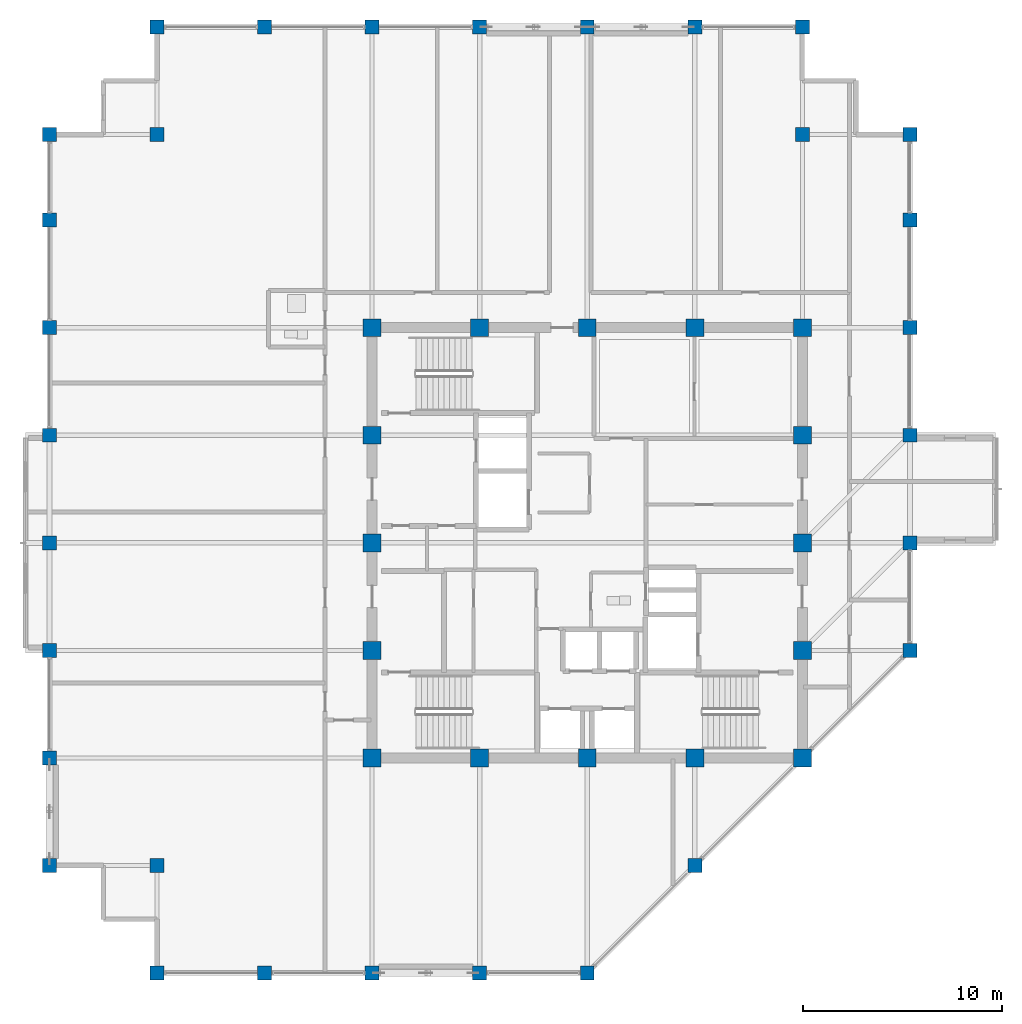
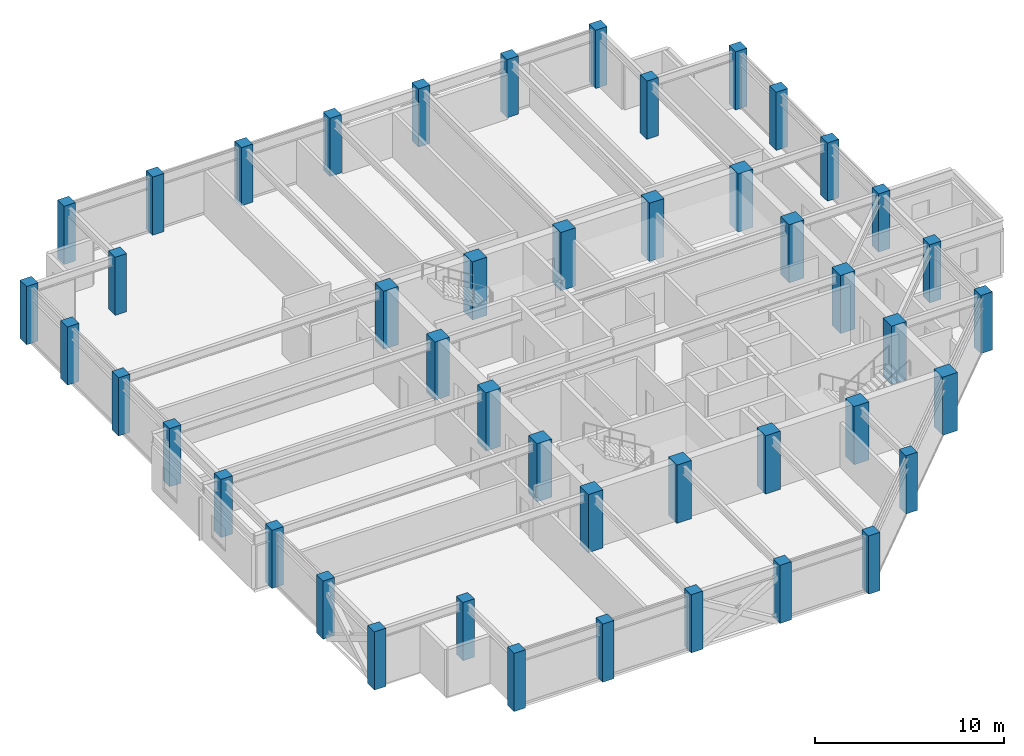
# One storey, part 1 of 30: 46 columns.
"""IFC4 building model written with IfcOpenShell, lengths in metres."""

from ifc_helpers import new_model, si_unit, direction, frame, origin, origin_2d, place, context, subcontext, project, spatial, rectangle, extrude, material, material_profile, profile_set, type_object, element, save


model = new_model("IFC4")

# Units and contexts
model_context = context("Model", 3, precision=1e-05, world=origin(), true_north=direction((0.0, 1.0)))
body_context = subcontext(model_context, "Body", "Model", "MODEL_VIEW")
ifc_project = project(units=[si_unit("LENGTHUNIT", "METRE"), si_unit("AREAUNIT", "SQUARE_METRE"), si_unit("VOLUMEUNIT", "CUBIC_METRE"), si_unit("PLANEANGLEUNIT", "RADIAN"), si_unit("MASSUNIT", "GRAM", prefix="KILO")], contexts=[model_context])

# Site, building, storey
site_placement = place(None, origin())
site = spatial("IfcSite", under=ifc_project, at=site_placement, CompositionType="ELEMENT")
building_placement = place(site_placement, origin())
building = spatial("IfcBuilding", under=site, at=building_placement, Name="Surkhivell Harbour Commons", CompositionType="ELEMENT")
storey_placement = place(building_placement, frame((0.0, 0.0, 303.75)))
storey = spatial("IfcBuildingStorey", under=building, at=storey_placement, Name="L79", CompositionType="ELEMENT", Elevation=303.75)

# Columns
ifc_material_1 = material(Name="Concrete C60/75", Category="concrete")
ifc_material_profile_1 = material_profile(ifc_material_1, rectangle(XDim=0.89990234375, YDim=0.89990234375, at=origin_2d()), Name="RC-COL-900x900")
ifc_profile_set_1 = profile_set([ifc_material_profile_1], Name="Concrete C60/75")
column_type_1 = type_object("IfcColumnType", Name="COL-TUBE-Z3A", PredefinedType="COLUMN", material=ifc_profile_set_1)
for number, where, z_axis, x_axis, name in (
    (1, (-10.800048828125, -10.800048828125, 0.0), (0.0, 0.0, 1.0), (1.0, 0.0, 0.0), "L79 Column CT-3A (-10.8,-10.8)"),
    (2, (-10.800048828125, -5.39990234375, 0.0), (0.0, 0.0, 1.0), (1.0, 0.0, 0.0), "L79 Column CT-3A (-10.8,-5.4)"),
    (3, (-10.800048828125, 0.0, 0.0), (0.0, 0.0, 1.0), (1.0, 0.0, 0.0), "L79 Column CT-3A (-10.8,0.0)"),
    (4, (-10.800048828125, 5.39990234375, 0.0), (0.0, 0.0, 1.0), (1.0, 0.0, 0.0), "L79 Column CT-3A (-10.8,5.4)"),
    (5, (-10.800048828125, 10.800048828125, 0.0), (0.0, 0.0, 1.0), (1.0, 0.0, 0.0), "L79 Column CT-3A (-10.8,10.8)"),
    (6, (-5.39990234375, -10.800048828125, 0.0), (0.0, 0.0, 1.0), (1.0, 0.0, 0.0), "L79 Column CT-3A (-5.4,-10.8)"),
    (7, (-5.39990234375, 10.800048828125, 0.0), (0.0, 0.0, 1.0), (1.0, 0.0, 0.0), "L79 Column CT-3A (-5.4,10.8)"),
    (8, (0.0, -10.800048828125, 0.0), (0.0, 0.0, 1.0), (1.0, 0.0, 0.0), "L79 Column CT-3A (0.0,-10.8)"),
    (9, (0.0, 10.800048828125, 0.0), (0.0, 0.0, 1.0), (1.0, 0.0, 0.0), "L79 Column CT-3A (0.0,10.8)"),
    (10, (5.39990234375, -10.800048828125, 0.0), (0.0, 0.0, 1.0), (1.0, 0.0, 0.0), "L79 Column CT-3A (5.4,-10.8)"),
    (11, (5.39990234375, 10.800048828125, 0.0), (0.0, 0.0, 1.0), (1.0, 0.0, 0.0), "L79 Column CT-3A (5.4,10.8)"),
    (12, (10.800048828125, -10.800048828125, 0.0), (0.0, 0.0, 1.0), (1.0, 0.0, 0.0), "L79 Column CT-3A (10.8,-10.8)"),
    (13, (10.800048828125, -5.39990234375, 0.0), (0.0, 0.0, 1.0), (1.0, 0.0, 0.0), "L79 Column CT-3A (10.8,-5.4)"),
    (14, (10.800048828125, 0.0, 0.0), (0.0, 0.0, 1.0), (1.0, 0.0, 0.0), "L79 Column CT-3A (10.8,0.0)"),
    (15, (10.800048828125, 5.39990234375, 0.0), (0.0, 0.0, 1.0), (1.0, 0.0, 0.0), "L79 Column CT-3A (10.8,5.4)"),
    (16, (10.800048828125, 10.800048828125, 0.0), (0.0, 0.0, 1.0), (1.0, 0.0, 0.0), "L79 Column CT-3A (10.8,10.8)"),
):
    element("IfcColumn", number, at=place(storey_placement, frame(where, z_axis=z_axis, x_axis=x_axis)), inside=storey, type_object=column_type_1, Name=name, PredefinedType="COLUMN", context=body_context, shape_type="SweptSolid", body=[
        extrude(rectangle(XDim=0.89990234375, YDim=0.89990234375, at=origin_2d()), origin(), (0.0, 0.0, 1.0), 3.75),
    ])
ifc_material_2 = material(Name="Concrete C50/60", Category="concrete")
ifc_material_profile_2 = material_profile(ifc_material_2, rectangle(XDim=0.699951171875, YDim=0.699951171875, at=origin_2d()), Name="RC-COL-700x700")
ifc_profile_set_2 = profile_set([ifc_material_profile_2], Name="Concrete C50/60")
column_type_2 = type_object("IfcColumnType", Name="COL-TUBE-Z4", PredefinedType="COLUMN", material=ifc_profile_set_2)
for number, where, z_axis, x_axis, name in (
    (17, (-27.0, -16.199951171875, 0.0), (0.0, 0.0, 1.0), (1.0, 0.0, 0.0), "L79 Column CT-4 (-27.0,-16.2)"),
    (18, (-27.0, -10.800048828125, 0.0), (0.0, 0.0, 1.0), (1.0, 0.0, 0.0), "L79 Column CT-4 (-27.0,-10.8)"),
    (19, (-27.0, -5.39990234375, 0.0), (0.0, 0.0, 1.0), (1.0, 0.0, 0.0), "L79 Column CT-4 (-27.0,-5.4)"),
    (20, (-27.0, 0.0, 0.0), (0.0, 0.0, 1.0), (1.0, 0.0, 0.0), "L79 Column CT-4 (-27.0,0.0)"),
    (21, (-27.0, 5.39990234375, 0.0), (0.0, 0.0, 1.0), (1.0, 0.0, 0.0), "L79 Column CT-4 (-27.0,5.4)"),
    (22, (-27.0, 10.800048828125, 0.0), (0.0, 0.0, 1.0), (1.0, 0.0, 0.0), "L79 Column CT-4 (-27.0,10.8)"),
    (23, (-27.0, 16.199951171875, 0.0), (0.0, 0.0, 1.0), (1.0, 0.0, 0.0), "L79 Column CT-4 (-27.0,16.2)"),
    (24, (-27.0, 20.5, 0.0), (0.0, 0.0, 1.0), (1.0, 0.0, 0.0), "L79 Column CT-4 (-27.0,20.5)"),
    (25, (-21.60009765625, -21.60009765625, 0.0), (0.0, 0.0, 1.0), (1.0, 0.0, 0.0), "L79 Column CT-4 (-21.6,-21.6)"),
    (26, (-21.60009765625, -16.199951171875, 0.0), (0.0, 0.0, 1.0), (1.0, 0.0, 0.0), "L79 Column CT-4 (-21.6,-16.2)"),
    (27, (-21.60009765625, 20.5, 0.0), (0.0, 0.0, 1.0), (1.0, 0.0, 0.0), "L79 Column CT-4 (-21.6,20.5)"),
    (28, (-21.60009765625, 25.89990234375, 0.0), (0.0, 0.0, 1.0), (1.0, 0.0, 0.0), "L79 Column CT-4 (-21.6,25.9)"),
    (29, (-16.199951171875, -21.60009765625, 0.0), (0.0, 0.0, 1.0), (1.0, 0.0, 0.0), "L79 Column CT-4 (-16.2,-21.6)"),
    (30, (-16.199951171875, 25.89990234375, 0.0), (0.0, 0.0, 1.0), (1.0, 0.0, 0.0), "L79 Column CT-4 (-16.2,25.9)"),
    (31, (-10.800048828125, -21.60009765625, 0.0), (0.0, 0.0, 1.0), (1.0, 0.0, 0.0), "L79 Column CT-4 (-10.8,-21.6)"),
    (32, (-10.800048828125, 25.89990234375, 0.0), (0.0, 0.0, 1.0), (1.0, 0.0, 0.0), "L79 Column CT-4 (-10.8,25.9)"),
    (33, (-5.39990234375, -21.60009765625, 0.0), (0.0, 0.0, 1.0), (1.0, 0.0, 0.0), "L79 Column CT-4 (-5.4,-21.6)"),
    (34, (-5.39990234375, 25.89990234375, 0.0), (0.0, 0.0, 1.0), (1.0, 0.0, 0.0), "L79 Column CT-4 (-5.4,25.9)"),
    (35, (0.0, -21.60009765625, 0.0), (0.0, 0.0, 1.0), (1.0, 0.0, 0.0), "L79 Column CT-4 (-0.0,-21.6)"),
    (36, (0.0, 25.89990234375, 0.0), (0.0, 0.0, 1.0), (1.0, 0.0, 0.0), "L79 Column CT-4 (-0.0,25.9)"),
    (37, (5.39990234375, -16.199951171875, 0.0), (0.0, 0.0, 1.0), (1.0, 0.0, 0.0), "L79 Column CT-4 (5.4,-16.2)"),
    (38, (5.39990234375, 25.89990234375, 0.0), (0.0, 0.0, 1.0), (1.0, 0.0, 0.0), "L79 Column CT-4 (5.4,25.9)"),
    (39, (10.800048828125, 20.5, 0.0), (0.0, 0.0, 1.0), (1.0, 0.0, 0.0), "L79 Column CT-4 (10.8,20.5)"),
    (40, (10.800048828125, 25.89990234375, 0.0), (0.0, 0.0, 1.0), (1.0, 0.0, 0.0), "L79 Column CT-4 (10.8,25.9)"),
    (41, (16.199951171875, -5.39990234375, 0.0), (0.0, 0.0, 1.0), (1.0, 0.0, 0.0), "L79 Column CT-4 (16.2,-5.4)"),
    (42, (16.199951171875, 0.0, 0.0), (0.0, 0.0, 1.0), (1.0, 0.0, 0.0), "L79 Column CT-4 (16.2,0.0)"),
    (43, (16.199951171875, 5.39990234375, 0.0), (0.0, 0.0, 1.0), (1.0, 0.0, 0.0), "L79 Column CT-4 (16.2,5.4)"),
    (44, (16.199951171875, 10.800048828125, 0.0), (0.0, 0.0, 1.0), (1.0, 0.0, 0.0), "L79 Column CT-4 (16.2,10.8)"),
    (45, (16.199951171875, 16.199951171875, 0.0), (0.0, 0.0, 1.0), (1.0, 0.0, 0.0), "L79 Column CT-4 (16.2,16.2)"),
    (46, (16.199951171875, 20.5, 0.0), (0.0, 0.0, 1.0), (1.0, 0.0, 0.0), "L79 Column CT-4 (16.2,20.5)"),
):
    element("IfcColumn", number, at=place(storey_placement, frame(where, z_axis=z_axis, x_axis=x_axis)), inside=storey, type_object=column_type_2, Name=name, PredefinedType="COLUMN", context=body_context, shape_type="SweptSolid", body=[
        extrude(rectangle(XDim=0.699951171875, YDim=0.699951171875, at=origin_2d()), origin(), (0.0, 0.0, 1.0), 3.75),
    ])

save(model, "model.ifc")
